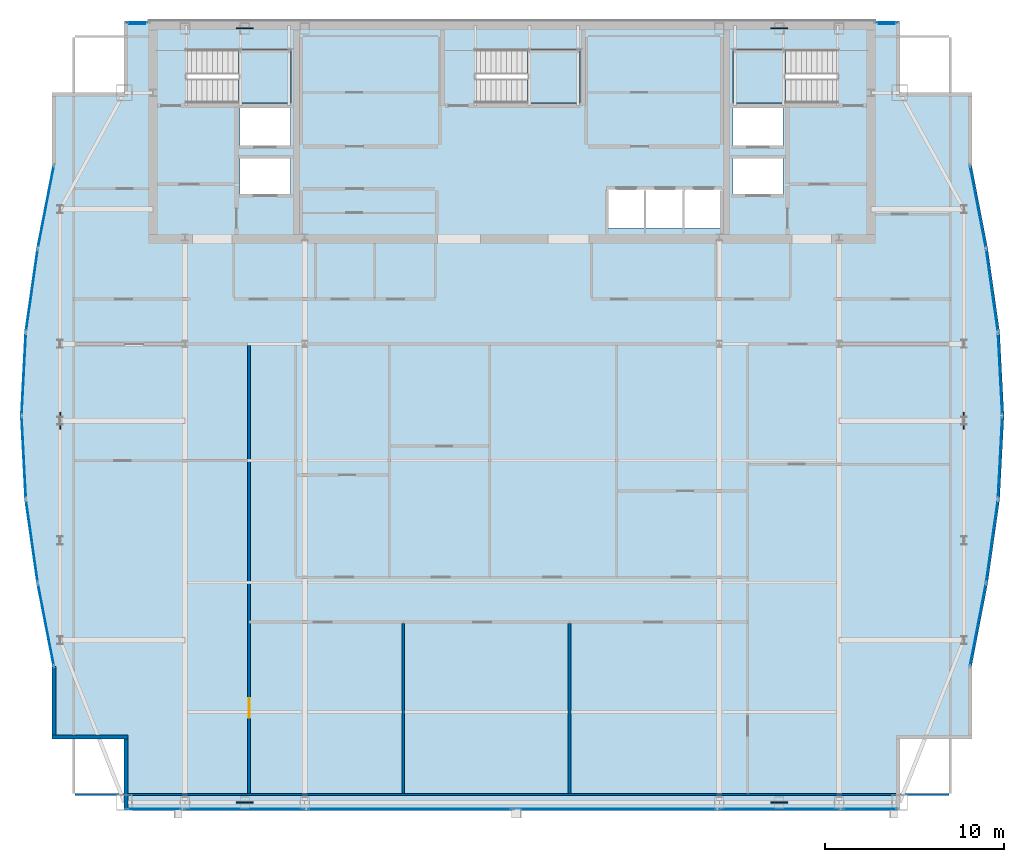
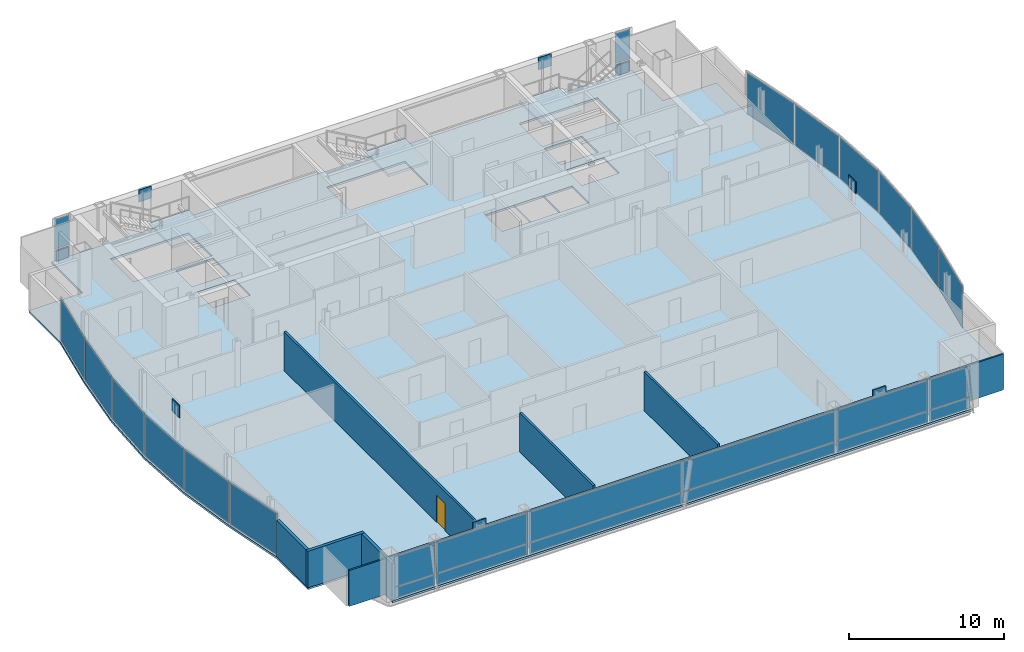
# One storey, part 21 of 27: 36 plates, 7 walls, 4 slabs, 1 door, 1 opening, 22 elements without a shape of their own.
"""IFC4 building model written with IfcOpenShell, lengths in metres."""

from ifc_helpers import new_model, si_unit, direction, frame, frame_2d, origin, origin_2d, place, context, subcontext, project, spatial, polyline, rectangle, outline, extrude, material, layer, layer_set, type_object, element, fill, aggregate, save


model = new_model("IFC4")

# Units and contexts
model_context = context("Model", 3, precision=1e-05, world=origin(), true_north=direction((0.0, 1.0)))
body_context = subcontext(model_context, "Body", "Model", "MODEL_VIEW")
ifc_project = project(units=[si_unit("LENGTHUNIT", "METRE"), si_unit("AREAUNIT", "SQUARE_METRE"), si_unit("VOLUMEUNIT", "CUBIC_METRE"), si_unit("PLANEANGLEUNIT", "RADIAN"), si_unit("MASSUNIT", "GRAM", prefix="KILO")], contexts=[model_context])

# Site, building, storey
site_placement = place(None, origin())
site = spatial("IfcSite", under=ifc_project, at=site_placement, CompositionType="ELEMENT")
building_placement = place(site_placement, origin())
building = spatial("IfcBuilding", under=site, at=building_placement, Name="Khoronbel Lancet Exchange", CompositionType="ELEMENT")
storey_placement = place(building_placement, frame((0.0, 0.0, 332.60009765625)))
storey = spatial("IfcBuildingStorey", under=building, at=storey_placement, Name="L86", CompositionType="ELEMENT", Elevation=332.60009765625)

# Curtain wall, plate
ifc_material_1 = material(Name="Low-E Solar Control Insulating Glass", Category="glass")
curtain_wall_type_1 = type_object("IfcCurtainWallType", Name="CW-4", PredefinedType="NOTDEFINED", material=ifc_material_1)
curtain_wall_1_placement = place(storey_placement, origin())
curtain_wall_1 = element("IfcCurtainWall", 1, at=curtain_wall_1_placement, inside=storey, type_object=curtain_wall_type_1, Name="Unitised curtain wall CW-L86-E05", PredefinedType="NOTDEFINED")
ifc_material_2 = material(Name="Bronze-Anodised Aluminium 6063-T6", Category="aluminium")
ifc_layer_1 = layer(ifc_material_2, 0.050048828125, Name="Bronze-Anodised Aluminium 6063-T6")
ifc_layer_set_1 = layer_set([ifc_layer_1], Name="Bronze-Anodised Aluminium 6063-T6")
plate_type_1 = type_object("IfcPlateType", Name="PLT-CSP1", PredefinedType="SHEET", material=ifc_layer_set_1)
plate_1_placement = place(storey_placement, frame((9.70068359375, 24.7119140625, 0.0849609375), z_axis=(0.0, 0.0, 1.0), x_axis=(-0.140802714401, 0.990037673837, 0.0)))
plate_1 = element("IfcPlate", 2, at=plate_1_placement, type_object=plate_type_1, Name="CW4 panel 1.1", PredefinedType="CURTAIN_PANEL", context=body_context, shape_type="SweptSolid", body=[
    extrude(rectangle(XDim=4.557373046875, YDim=0.0380859375, at=origin_2d()), origin(), (0.0, 0.0, 1.0), 3.27001953125),
])
aggregate(curtain_wall_1, [plate_1])

curtain_wall_2_placement = place(storey_placement, origin())
curtain_wall_2 = element("IfcCurtainWall", 3, at=curtain_wall_2_placement, inside=storey, type_object=curtain_wall_type_1, Name="Unitised curtain wall CW-L86-E06", PredefinedType="NOTDEFINED")
plate_2_placement = place(storey_placement, frame((9.248046875, 29.37109375, 0.0849609375), z_axis=(0.0, 0.0, 1.0), x_axis=(-0.051990561885, 0.998647576212, 0.0)))
plate_2 = element("IfcPlate", 4, at=plate_2_placement, type_object=plate_type_1, Name="CW4 panel 1.1", PredefinedType="CURTAIN_PANEL", context=body_context, shape_type="SweptSolid", body=[
    extrude(rectangle(XDim=4.514404296875, YDim=0.0380859375, at=origin_2d()), origin(), (0.0, 0.0, 1.0), 3.27001953125),
])
aggregate(curtain_wall_2, [plate_2])

curtain_wall_3_placement = place(storey_placement, origin())
curtain_wall_3 = element("IfcCurtainWall", 5, at=curtain_wall_3_placement, inside=storey, type_object=curtain_wall_type_1, Name="Unitised curtain wall CW-L86-E07", PredefinedType="NOTDEFINED")
plate_3_placement = place(storey_placement, frame((9.248046875, 34.029052734375, 0.0849609375), z_axis=(0.0, 0.0, 1.0), x_axis=(0.051990561885, 0.998647576212, 0.0)))
plate_3 = element("IfcPlate", 6, at=plate_3_placement, type_object=plate_type_1, Name="CW4 panel 1.1", PredefinedType="CURTAIN_PANEL", context=body_context, shape_type="SweptSolid", body=[
    extrude(rectangle(XDim=4.514404296875, YDim=0.0380859375, at=origin_2d()), origin(), (0.0, 0.0, 1.0), 3.27001953125),
])
aggregate(curtain_wall_3, [plate_3])

curtain_wall_4_placement = place(storey_placement, origin())
curtain_wall_4 = element("IfcCurtainWall", 7, at=curtain_wall_4_placement, inside=storey, type_object=curtain_wall_type_1, Name="Unitised curtain wall CW-L86-E08", PredefinedType="NOTDEFINED")
plate_4_placement = place(storey_placement, frame((9.70068359375, 38.688232421875, 0.0849609375), z_axis=(0.0, 0.0, 1.0), x_axis=(0.140802714401, 0.990037673837, 0.0)))
plate_4 = element("IfcPlate", 8, at=plate_4_placement, type_object=plate_type_1, Name="CW4 panel 1.1", PredefinedType="CURTAIN_PANEL", context=body_context, shape_type="SweptSolid", body=[
    extrude(rectangle(XDim=4.557373046875, YDim=0.0380859375, at=origin_2d()), origin(), (0.0, 0.0, 1.0), 3.27001953125),
])
aggregate(curtain_wall_4, [plate_4])

curtain_wall_type_2 = type_object("IfcCurtainWallType", Name="CW-3", PredefinedType="NOTDEFINED", material=ifc_material_1)
curtain_wall_5_placement = place(storey_placement, origin())
curtain_wall_5 = element("IfcCurtainWall", 9, at=curtain_wall_5_placement, inside=storey, type_object=curtain_wall_type_2, Name="Unitised curtain wall CW-L86-NWFLK", PredefinedType="NOTDEFINED")
plate_5_placement = place(storey_placement, frame((15.580078125, 53.550048828125, 0.0498046875), z_axis=(0.0, 0.0, 1.0), x_axis=(-1.0, 0.0, 0.0)))
plate_5 = element("IfcPlate", 10, at=plate_5_placement, type_object=plate_type_1, Name="Insulated bronze spandrel cassette CW-L86-NWFLK", PredefinedType="SHEET", context=body_context, shape_type="SweptSolid", body=[
    extrude(rectangle(XDim=0.89599609375, YDim=0.050048828125, at=origin_2d()), origin(), (0.0, 0.0, 1.0), 0.800048828125),
])

curtain_wall_6_placement = place(storey_placement, origin())
curtain_wall_6 = element("IfcCurtainWall", 11, at=curtain_wall_6_placement, inside=storey, type_object=curtain_wall_type_2, Name="Unitised curtain wall CW-L86-NEFLK", PredefinedType="NOTDEFINED")
plate_6_placement = place(storey_placement, frame((57.320068359375, 53.550048828125, 0.0498046875), z_axis=(0.0, 0.0, 1.0), x_axis=(-1.0, 0.0, 0.0)))
plate_6 = element("IfcPlate", 12, at=plate_6_placement, type_object=plate_type_1, Name="Insulated bronze spandrel cassette CW-L86-NEFLK", PredefinedType="SHEET", context=body_context, shape_type="SweptSolid", body=[
    extrude(rectangle(XDim=0.89599609375, YDim=0.050048828125, at=origin_2d()), origin(), (0.0, 0.0, 1.0), 0.800048828125),
])

curtain_wall_7_placement = place(storey_placement, origin())
curtain_wall_7 = element("IfcCurtainWall", 13, at=curtain_wall_7_placement, inside=storey, type_object=curtain_wall_type_1, Name="Unitised curtain wall CW-L86-E18", PredefinedType="NOTDEFINED")
plate_7_placement = place(storey_placement, frame((63.19921875, 38.688232421875, 0.0849609375), z_axis=(0.0, 0.0, 1.0), x_axis=(0.140802714401, -0.990037673837, 0.0)))
plate_7 = element("IfcPlate", 14, at=plate_7_placement, type_object=plate_type_1, Name="CW4 panel 1.1", PredefinedType="CURTAIN_PANEL", context=body_context, shape_type="SweptSolid", body=[
    extrude(rectangle(XDim=4.557373046875, YDim=0.0380859375, at=origin_2d()), origin(), (0.0, 0.0, 1.0), 3.27001953125),
])
aggregate(curtain_wall_7, [plate_7])

curtain_wall_8_placement = place(storey_placement, origin())
curtain_wall_8 = element("IfcCurtainWall", 15, at=curtain_wall_8_placement, inside=storey, type_object=curtain_wall_type_1, Name="Unitised curtain wall CW-L86-E19", PredefinedType="NOTDEFINED")
plate_8_placement = place(storey_placement, frame((63.65185546875, 34.029052734375, 0.0849609375), z_axis=(0.0, 0.0, 1.0), x_axis=(0.051990561885, -0.998647576212, 0.0)))
plate_8 = element("IfcPlate", 16, at=plate_8_placement, type_object=plate_type_1, Name="CW4 panel 1.1", PredefinedType="CURTAIN_PANEL", context=body_context, shape_type="SweptSolid", body=[
    extrude(rectangle(XDim=4.514404296875, YDim=0.0380859375, at=origin_2d()), origin(), (0.0, 0.0, 1.0), 3.27001953125),
])
aggregate(curtain_wall_8, [plate_8])

curtain_wall_9_placement = place(storey_placement, origin())
curtain_wall_9 = element("IfcCurtainWall", 17, at=curtain_wall_9_placement, inside=storey, type_object=curtain_wall_type_1, Name="Unitised curtain wall CW-L86-E20", PredefinedType="NOTDEFINED")
plate_9_placement = place(storey_placement, frame((63.65185546875, 29.37109375, 0.0849609375), z_axis=(0.0, 0.0, 1.0), x_axis=(-0.051990561885, -0.998647576212, 0.0)))
plate_9 = element("IfcPlate", 18, at=plate_9_placement, type_object=plate_type_1, Name="CW4 panel 1.1", PredefinedType="CURTAIN_PANEL", context=body_context, shape_type="SweptSolid", body=[
    extrude(rectangle(XDim=4.514404296875, YDim=0.0380859375, at=origin_2d()), origin(), (0.0, 0.0, 1.0), 3.27001953125),
])
aggregate(curtain_wall_9, [plate_9])

curtain_wall_10_placement = place(storey_placement, origin())
curtain_wall_10 = element("IfcCurtainWall", 19, at=curtain_wall_10_placement, inside=storey, type_object=curtain_wall_type_1, Name="Unitised curtain wall CW-L86-E21", PredefinedType="NOTDEFINED")
plate_10_placement = place(storey_placement, frame((63.19921875, 24.7119140625, 0.0849609375), z_axis=(0.0, 0.0, 1.0), x_axis=(-0.140802714401, -0.990037673837, 0.0)))
plate_10 = element("IfcPlate", 20, at=plate_10_placement, type_object=plate_type_1, Name="CW4 panel 1.1", PredefinedType="CURTAIN_PANEL", context=body_context, shape_type="SweptSolid", body=[
    extrude(rectangle(XDim=4.557373046875, YDim=0.0380859375, at=origin_2d()), origin(), (0.0, 0.0, 1.0), 3.27001953125),
])
aggregate(curtain_wall_10, [plate_10])

# Curtain wall, plates
curtain_wall_11_placement = place(storey_placement, origin())
curtain_wall_11 = element("IfcCurtainWall", 21, at=curtain_wall_11_placement, inside=storey, type_object=curtain_wall_type_2, Name="Unitised curtain wall CW-L86-SWB", PredefinedType="NOTDEFINED")
plate_11_placement = place(storey_placement, frame((21.550048828125, 9.7900390625, 0.0849609375), z_axis=(0.0, 0.0, 1.0), x_axis=(1.0, 0.0, 0.0)))
plate_11 = element("IfcPlate", 22, at=plate_11_placement, type_object=plate_type_1, Name="CW3 panel 1.1", PredefinedType="CURTAIN_PANEL", context=body_context, shape_type="SweptSolid", body=[
    extrude(rectangle(XDim=6.72998046875, YDim=0.0380859375, at=origin_2d()), origin(), (0.0, 0.0, 1.0), 0.822509765625),
])
plate_12_placement = place(storey_placement, frame((21.550048828125, 9.7900390625, 0.9921875), z_axis=(0.0, 0.0, 1.0), x_axis=(1.0, 0.0, 0.0)))
plate_12 = element("IfcPlate", 23, at=plate_12_placement, type_object=plate_type_1, Name="CW3 panel 1.2", PredefinedType="CURTAIN_PANEL", context=body_context, shape_type="SweptSolid", body=[
    extrude(rectangle(XDim=6.72998046875, YDim=0.0380859375, at=origin_2d()), origin(), (0.0, 0.0, 1.0), 2.362548828125),
])
aggregate(curtain_wall_11, [plate_11, plate_12])

curtain_wall_12_placement = place(storey_placement, origin())
curtain_wall_12 = element("IfcCurtainWall", 24, at=curtain_wall_12_placement, inside=storey, type_object=curtain_wall_type_2, Name="Unitised curtain wall CW-L86-SEB", PredefinedType="NOTDEFINED")
plate_13_placement = place(storey_placement, frame((51.35009765625, 9.7900390625, 0.0849609375), z_axis=(0.0, 0.0, 1.0), x_axis=(1.0, 0.0, 0.0)))
plate_13 = element("IfcPlate", 25, at=plate_13_placement, type_object=plate_type_1, Name="CW3 panel 1.1", PredefinedType="CURTAIN_PANEL", context=body_context, shape_type="SweptSolid", body=[
    extrude(rectangle(XDim=6.72998046875, YDim=0.0380859375, at=origin_2d()), origin(), (0.0, 0.0, 1.0), 0.822509765625),
])
plate_14_placement = place(storey_placement, frame((51.35009765625, 9.7900390625, 0.9921875), z_axis=(0.0, 0.0, 1.0), x_axis=(1.0, 0.0, 0.0)))
plate_14 = element("IfcPlate", 26, at=plate_14_placement, type_object=plate_type_1, Name="CW3 panel 1.2", PredefinedType="CURTAIN_PANEL", context=body_context, shape_type="SweptSolid", body=[
    extrude(rectangle(XDim=6.72998046875, YDim=0.0380859375, at=origin_2d()), origin(), (0.0, 0.0, 1.0), 2.362548828125),
])
aggregate(curtain_wall_12, [plate_13, plate_14])

# Plate
ifc_layer_2 = layer(ifc_material_1, 0.035888671875, Name="Low-E Solar Control Insulating Glass")
ifc_layer_set_2 = layer_set([ifc_layer_2], Name="Low-E Solar Control Insulating Glass")
plate_type_2 = type_object("IfcPlateType", Name="PLT-CWP1", PredefinedType="CURTAIN_PANEL", material=ifc_layer_set_2)
plate_15_placement = place(storey_placement, frame((15.580078125, 53.610107421875, 0.0849609375), z_axis=(0.0, 0.0, 1.0), x_axis=(-1.0, 0.0, 0.0)))
plate_15 = element("IfcPlate", 27, at=plate_15_placement, type_object=plate_type_2, Name="CW3 panel 1.1", PredefinedType="CURTAIN_PANEL", context=body_context, shape_type="SweptSolid", body=[
    extrude(rectangle(XDim=1.110107421875, YDim=0.0380859375, at=origin_2d()), origin(), (0.0, 0.0, 1.0), 0.822509765625),
])

plate_16_placement = place(storey_placement, frame((15.580078125, 53.610107421875, 0.9921875), z_axis=(0.0, 0.0, 1.0), x_axis=(-1.0, 0.0, 0.0)))
plate_16 = element("IfcPlate", 28, at=plate_16_placement, type_object=plate_type_2, Name="CW3 panel 1.2", PredefinedType="CURTAIN_PANEL", context=body_context, shape_type="SweptSolid", body=[
    extrude(rectangle(XDim=1.110107421875, YDim=0.0380859375, at=origin_2d()), origin(), (0.0, 0.0, 1.0), 2.362548828125),
])

aggregate(curtain_wall_5, [plate_15, plate_16, plate_5])

plate_17_placement = place(storey_placement, frame((57.320068359375, 53.610107421875, 0.0849609375), z_axis=(0.0, 0.0, 1.0), x_axis=(-1.0, 0.0, 0.0)))
plate_17 = element("IfcPlate", 29, at=plate_17_placement, type_object=plate_type_2, Name="CW3 panel 1.1", PredefinedType="CURTAIN_PANEL", context=body_context, shape_type="SweptSolid", body=[
    extrude(rectangle(XDim=1.110107421875, YDim=0.0380859375, at=origin_2d()), origin(), (0.0, 0.0, 1.0), 0.822509765625),
])

plate_18_placement = place(storey_placement, frame((57.320068359375, 53.610107421875, 0.9921875), z_axis=(0.0, 0.0, 1.0), x_axis=(-1.0, 0.0, 0.0)))
plate_18 = element("IfcPlate", 30, at=plate_18_placement, type_object=plate_type_2, Name="CW3 panel 1.2", PredefinedType="CURTAIN_PANEL", context=body_context, shape_type="SweptSolid", body=[
    extrude(rectangle(XDim=1.110107421875, YDim=0.0380859375, at=origin_2d()), origin(), (0.0, 0.0, 1.0), 2.362548828125),
])

aggregate(curtain_wall_6, [plate_17, plate_18, plate_6])

# Curtain wall, plates
curtain_wall_13_placement = place(storey_placement, origin())
curtain_wall_13 = element("IfcCurtainWall", 31, at=curtain_wall_13_placement, inside=storey, type_object=curtain_wall_type_2, Name="Unitised curtain wall CW-L86-SWV", PredefinedType="NOTDEFINED")
plate_19_placement = place(storey_placement, frame((16.52001953125, 9.7900390625, 0.0849609375), z_axis=(0.0, 0.0, 1.0), x_axis=(1.0, 0.0, 0.0)))
plate_19 = element("IfcPlate", 32, at=plate_19_placement, type_object=plate_type_2, Name="CW3 panel 1.1", PredefinedType="CURTAIN_PANEL", context=body_context, shape_type="SweptSolid", body=[
    extrude(rectangle(XDim=2.989990234375, YDim=0.0380859375, at=origin_2d()), origin(), (0.0, 0.0, 1.0), 0.822509765625),
])
plate_20_placement = place(storey_placement, frame((16.52001953125, 9.7900390625, 0.9921875), z_axis=(0.0, 0.0, 1.0), x_axis=(1.0, 0.0, 0.0)))
plate_20 = element("IfcPlate", 33, at=plate_20_placement, type_object=plate_type_2, Name="CW3 panel 1.2", PredefinedType="CURTAIN_PANEL", context=body_context, shape_type="SweptSolid", body=[
    extrude(rectangle(XDim=2.989990234375, YDim=0.0380859375, at=origin_2d()), origin(), (0.0, 0.0, 1.0), 2.362548828125),
])
aggregate(curtain_wall_13, [plate_19, plate_20])

curtain_wall_14_placement = place(storey_placement, origin())
curtain_wall_14 = element("IfcCurtainWall", 34, at=curtain_wall_14_placement, inside=storey, type_object=curtain_wall_type_2, Name="Unitised curtain wall CW-L86-SCV", PredefinedType="NOTDEFINED")
plate_21_placement = place(storey_placement, frame((30.746337890625, 9.7900390625, 0.0849609375), z_axis=(0.0, 0.0, 1.0), x_axis=(1.0, 0.0, 0.0)))
plate_21 = element("IfcPlate", 35, at=plate_21_placement, type_object=plate_type_2, Name="CW3 panel 1.1", PredefinedType="CURTAIN_PANEL", context=body_context, shape_type="SweptSolid", body=[
    extrude(rectangle(XDim=11.322509765625, YDim=0.0380859375, at=origin_2d()), origin(), (0.0, 0.0, 1.0), 0.822509765625),
])
plate_22_placement = place(storey_placement, frame((30.746337890625, 9.7900390625, 0.9921875), z_axis=(0.0, 0.0, 1.0), x_axis=(1.0, 0.0, 0.0)))
plate_22 = element("IfcPlate", 36, at=plate_22_placement, type_object=plate_type_2, Name="CW3 panel 1.2", PredefinedType="CURTAIN_PANEL", context=body_context, shape_type="SweptSolid", body=[
    extrude(rectangle(XDim=11.322509765625, YDim=0.0380859375, at=origin_2d()), origin(), (0.0, 0.0, 1.0), 2.362548828125),
])
plate_23_placement = place(storey_placement, frame((42.15380859375, 9.7900390625, 0.0849609375), z_axis=(0.0, 0.0, 1.0), x_axis=(1.0, 0.0, 0.0)))
plate_23 = element("IfcPlate", 37, at=plate_23_placement, type_object=plate_type_2, Name="CW3 panel 2.1", PredefinedType="CURTAIN_PANEL", context=body_context, shape_type="SweptSolid", body=[
    extrude(rectangle(XDim=11.322509765625, YDim=0.0380859375, at=origin_2d()), origin(), (0.0, 0.0, 1.0), 0.822509765625),
])
plate_24_placement = place(storey_placement, frame((42.15380859375, 9.7900390625, 0.9921875), z_axis=(0.0, 0.0, 1.0), x_axis=(1.0, 0.0, 0.0)))
plate_24 = element("IfcPlate", 38, at=plate_24_placement, type_object=plate_type_2, Name="CW3 panel 2.2", PredefinedType="CURTAIN_PANEL", context=body_context, shape_type="SweptSolid", body=[
    extrude(rectangle(XDim=11.322509765625, YDim=0.0380859375, at=origin_2d()), origin(), (0.0, 0.0, 1.0), 2.362548828125),
])
aggregate(curtain_wall_14, [plate_21, plate_22, plate_23, plate_24])

curtain_wall_15_placement = place(storey_placement, origin())
curtain_wall_15 = element("IfcCurtainWall", 39, at=curtain_wall_15_placement, inside=storey, type_object=curtain_wall_type_2, Name="Unitised curtain wall CW-L86-SEV", PredefinedType="NOTDEFINED")
plate_25_placement = place(storey_placement, frame((56.3798828125, 9.7900390625, 0.0849609375), z_axis=(0.0, 0.0, 1.0), x_axis=(1.0, 0.0, 0.0)))
plate_25 = element("IfcPlate", 40, at=plate_25_placement, type_object=plate_type_2, Name="CW3 panel 1.1", PredefinedType="CURTAIN_PANEL", context=body_context, shape_type="SweptSolid", body=[
    extrude(rectangle(XDim=2.989990234375, YDim=0.0380859375, at=origin_2d()), origin(), (0.0, 0.0, 1.0), 0.822509765625),
])
plate_26_placement = place(storey_placement, frame((56.3798828125, 9.7900390625, 0.9921875), z_axis=(0.0, 0.0, 1.0), x_axis=(1.0, 0.0, 0.0)))
plate_26 = element("IfcPlate", 41, at=plate_26_placement, type_object=plate_type_2, Name="CW3 panel 1.2", PredefinedType="CURTAIN_PANEL", context=body_context, shape_type="SweptSolid", body=[
    extrude(rectangle(XDim=2.989990234375, YDim=0.0380859375, at=origin_2d()), origin(), (0.0, 0.0, 1.0), 2.362548828125),
])
aggregate(curtain_wall_15, [plate_25, plate_26])

# Curtain wall, plate
curtain_wall_16_placement = place(storey_placement, origin())
curtain_wall_16 = element("IfcCurtainWall", 42, at=curtain_wall_16_placement, inside=storey, type_object=curtain_wall_type_1, Name="Unitised curtain wall CW-L86-E04", PredefinedType="NOTDEFINED")
ifc_material_3 = material(Name="Ceramic-Fritted Laminated Insulating Glass", Category="glass")
ifc_layer_3 = layer(ifc_material_3, 0.0419921875, Name="Ceramic-Fritted Laminated Insulating Glass")
ifc_layer_set_3 = layer_set([ifc_layer_3], Name="Ceramic-Fritted Laminated Insulating Glass")
plate_type_3 = type_object("IfcPlateType", Name="PLT-CWP2", PredefinedType="CURTAIN_PANEL", material=ifc_layer_set_3)
plate_27_placement = place(storey_placement, frame((10.486083984375, 20.045166015625, 0.0849609375), z_axis=(0.0, 0.0, 1.0), x_axis=(-0.190703785032, 0.981647628416, 0.0)))
plate_27 = element("IfcPlate", 43, at=plate_27_placement, type_object=plate_type_3, Name="CW4 panel 1.1", PredefinedType="CURTAIN_PANEL", context=body_context, shape_type="SweptSolid", body=[
    extrude(rectangle(XDim=4.6103515625, YDim=0.0380859375, at=origin_2d()), origin(), (0.0, 0.0, 1.0), 3.27001953125),
])
aggregate(curtain_wall_16, [plate_27])

curtain_wall_17_placement = place(storey_placement, origin())
curtain_wall_17 = element("IfcCurtainWall", 44, at=curtain_wall_17_placement, inside=storey, type_object=curtain_wall_type_1, Name="Unitised curtain wall CW-L86-E09", PredefinedType="NOTDEFINED")
plate_28_placement = place(storey_placement, frame((10.486083984375, 43.354736328125, 0.0849609375), z_axis=(0.0, 0.0, 1.0), x_axis=(0.190703785032, 0.981647628416, 0.0)))
plate_28 = element("IfcPlate", 45, at=plate_28_placement, type_object=plate_type_3, Name="CW4 panel 1.1", PredefinedType="CURTAIN_PANEL", context=body_context, shape_type="SweptSolid", body=[
    extrude(rectangle(XDim=4.6103515625, YDim=0.0380859375, at=origin_2d()), origin(), (0.0, 0.0, 1.0), 3.27001953125),
])
aggregate(curtain_wall_17, [plate_28])

curtain_wall_18_placement = place(storey_placement, origin())
curtain_wall_18 = element("IfcCurtainWall", 46, at=curtain_wall_18_placement, inside=storey, type_object=curtain_wall_type_1, Name="Unitised curtain wall CW-L86-E17", PredefinedType="NOTDEFINED")
plate_29_placement = place(storey_placement, frame((62.413818359375, 43.354736328125, 0.0849609375), z_axis=(0.0, 0.0, 1.0), x_axis=(0.190703785032, -0.981647628416, 0.0)))
plate_29 = element("IfcPlate", 47, at=plate_29_placement, type_object=plate_type_3, Name="CW4 panel 1.1", PredefinedType="CURTAIN_PANEL", context=body_context, shape_type="SweptSolid", body=[
    extrude(rectangle(XDim=4.6103515625, YDim=0.0380859375, at=origin_2d()), origin(), (0.0, 0.0, 1.0), 3.27001953125),
])
aggregate(curtain_wall_18, [plate_29])

curtain_wall_19_placement = place(storey_placement, origin())
curtain_wall_19 = element("IfcCurtainWall", 48, at=curtain_wall_19_placement, inside=storey, type_object=curtain_wall_type_1, Name="Unitised curtain wall CW-L86-E22", PredefinedType="NOTDEFINED")
plate_30_placement = place(storey_placement, frame((62.413818359375, 20.045166015625, 0.0849609375), z_axis=(0.0, 0.0, 1.0), x_axis=(-0.190703785032, -0.981647628416, 0.0)))
plate_30 = element("IfcPlate", 49, at=plate_30_placement, type_object=plate_type_3, Name="CW4 panel 1.1", PredefinedType="CURTAIN_PANEL", context=body_context, shape_type="SweptSolid", body=[
    extrude(rectangle(XDim=4.6103515625, YDim=0.0380859375, at=origin_2d()), origin(), (0.0, 0.0, 1.0), 3.27001953125),
])
aggregate(curtain_wall_19, [plate_30])

# Plates
ifc_material_4 = material(Name="Steel S460", Category="steel")
ifc_layer_4 = layer(ifc_material_4, 0.06005859375, Name="Steel S460")
ifc_layer_set_4 = layer_set([ifc_layer_4], Name="Steel S460")
plate_type_4 = type_object("IfcPlateType", Name="PLT-ND3", PredefinedType="USERDEFINED", material=ifc_layer_set_4)
for number, where, z_axis, x_axis, name in (
    (50, (21.5625, 10.14990234375, 2.77490234375), (0.0, 0.0, 1.0), (1.0, 0.0, 0.0), "ND3 perimeter brace node gusset T29-S-W"),
    (51, (51.33740234375, 10.14990234375, 2.77490234375), (0.0, 0.0, 1.0), (1.0, 0.0, 0.0), "ND3 perimeter brace node gusset T29-S-E"),
    (52, (21.5625, 53.280029296875, 2.77490234375), (0.0, 0.0, 1.0), (1.0, 0.0, 0.0), "ND3 perimeter brace node gusset T29-N-W"),
    (53, (51.33740234375, 53.280029296875, 2.77490234375), (0.0, 0.0, 1.0), (1.0, 0.0, 0.0), "ND3 perimeter brace node gusset T29-N-E"),
    (54, (11.27001953125, 31.425048828125, 2.77490234375), (0.0, 0.0, 1.0), (0.0, 1.0, 0.0), "ND3 perimeter brace node gusset T29-W-P"),
    (55, (61.6298828125, 31.425048828125, 2.77490234375), (0.0, 0.0, 1.0), (0.0, 1.0, 0.0), "ND3 perimeter brace node gusset T29-E-P"),
):
    element("IfcPlate", number, at=place(storey_placement, frame(where, z_axis=z_axis, x_axis=x_axis)), inside=storey, type_object=plate_type_4, Name=name, ObjectType="GUSSET_PLATE", PredefinedType="USERDEFINED", context=body_context, shape_type="SweptSolid", body=[
        extrude(rectangle(XDim=0.949951171875, YDim=0.06005859375, at=origin_2d()), origin(), (0.0, 0.0, 1.0), 0.949951171875),
    ])

# Slab
ifc_material_5 = material(Name="Concrete C40/50", Category="concrete")
ifc_layer_5 = layer(ifc_material_5, 0.159912109375, Name="Concrete C40/50")
ifc_layer_set_5 = layer_set([ifc_layer_5], Name="Concrete C40/50")
slab_type_1 = type_object("IfcSlabType", Name="SL-FL160", PredefinedType="FLOOR", material=ifc_layer_set_5)
slab_1_placement = place(storey_placement, frame((0.0, 0.0, -0.16015625)))
element("IfcSlab", 56, at=slab_1_placement, inside=storey, type_object=slab_type_1, Name="Level L86 composite structural floor slab", PredefinedType="FLOOR", context=body_context, shape_type="SweptSolid", body=[
    extrude(outline(polyline([(14.85009765625, 9.699951171875), (58.050048828125, 9.699951171875), (58.050048828125, 13.699951171875), (62.050048828125, 13.699951171875), (62.050048828125, 17.699951171875), (62.95654296875, 22.36669921875), (63.620361328125, 27.033203125), (63.86328125, 31.699951171875), (63.620361328125, 36.36669921875), (62.95654296875, 41.033203125), (62.050048828125, 45.699951171875), (62.050048828125, 49.699951171875), (58.050048828125, 49.699951171875), (58.050048828125, 53.699951171875), (14.85009765625, 53.699951171875), (14.85009765625, 49.699951171875), (10.85009765625, 49.699951171875), (10.85009765625, 45.699951171875), (9.943359375, 41.033203125), (9.27978515625, 36.36669921875), (9.036865234375, 31.699951171875), (9.27978515625, 27.033203125), (9.943359375, 22.36669921875), (10.85009765625, 17.699951171875), (10.85009765625, 13.699951171875), (14.85009765625, 13.699951171875), (14.85009765625, 9.699951171875)]), holes=[polyline([(18.324951171875, 49.1201171875), (24.14990234375, 49.1201171875), (24.14990234375, 52.10009765625), (18.324951171875, 52.10009765625), (18.324951171875, 49.1201171875)]), polyline([(48.75, 49.1201171875), (54.574951171875, 49.1201171875), (54.574951171875, 52.10009765625), (48.75, 52.10009765625), (48.75, 49.1201171875)]), polyline([(34.425048828125, 49.1201171875), (40.25, 49.1201171875), (40.25, 52.10009765625), (34.425048828125, 52.10009765625), (34.425048828125, 49.1201171875)]), polyline([(41.739990234375, 42.14990234375), (43.8798828125, 42.14990234375), (43.8798828125, 44.300048828125), (41.739990234375, 44.300048828125), (41.739990234375, 42.14990234375)]), polyline([(43.89990234375, 42.14990234375), (46.0400390625, 42.14990234375), (46.0400390625, 44.300048828125), (43.89990234375, 44.300048828125), (43.89990234375, 42.14990234375)]), polyline([(46.06005859375, 42.14990234375), (48.199951171875, 42.14990234375), (48.199951171875, 44.300048828125), (46.06005859375, 44.300048828125), (46.06005859375, 42.14990234375)]), polyline([(21.300048828125, 46.75), (24.10009765625, 46.75), (24.10009765625, 48.85009765625), (21.300048828125, 48.85009765625), (21.300048828125, 46.75)]), polyline([(48.75, 46.75), (51.550048828125, 46.75), (51.550048828125, 48.85009765625), (48.75, 48.85009765625), (48.75, 46.75)]), polyline([(21.300048828125, 44.050048828125), (24.10009765625, 44.050048828125), (24.10009765625, 46.050048828125), (21.300048828125, 46.050048828125), (21.300048828125, 44.050048828125)]), polyline([(48.75, 44.050048828125), (51.550048828125, 44.050048828125), (51.550048828125, 46.050048828125), (48.75, 46.050048828125), (48.75, 44.050048828125)])]), origin(), (0.0, 0.0, 1.0), 0.16015625),
])

# Stair, slab
stair_type = type_object("IfcStairType", Name="STR-CORE150", PredefinedType="HALF_TURN_STAIR", material=ifc_material_5)
stair_1_placement = place(storey_placement, origin())
stair_1 = element("IfcStair", 57, at=stair_1_placement, inside=storey, type_object=stair_type, Name="L86 Protected Exit Stair ST1", PredefinedType="HALF_TURN_STAIR")
ifc_layer_6 = layer(ifc_material_5, 0.199951171875, Name="Concrete C40/50")
ifc_layer_set_6 = layer_set([ifc_layer_6], Name="Concrete C40/50")
slab_type_2 = type_object("IfcSlabType", Name="SL-LND180", PredefinedType="LANDING", material=ifc_layer_set_6)
slab_2_placement = place(storey_placement, frame((0.0, 0.0, 1.599853515625)))
slab_2 = element("IfcSlab", 58, at=slab_2_placement, type_object=slab_type_2, Name="ST1 landing 1", PredefinedType="LANDING", context=body_context, shape_type="SweptSolid", body=[
    extrude(outline(polyline([(21.199951171875, 49.1201171875), (24.14990234375, 49.1201171875), (24.14990234375, 52.10009765625), (21.199951171875, 52.10009765625), (21.199951171875, 49.1201171875)])), origin(), (0.0, 0.0, 1.0), 0.199951171875),
])
aggregate(stair_1, [slab_2])

stair_2_placement = place(storey_placement, origin())
stair_2 = element("IfcStair", 59, at=stair_2_placement, inside=storey, type_object=stair_type, Name="L86 Protected Exit Stair ST2", PredefinedType="HALF_TURN_STAIR")
slab_3_placement = place(storey_placement, frame((0.0, 0.0, 1.599853515625)))
slab_3 = element("IfcSlab", 60, at=slab_3_placement, type_object=slab_type_2, Name="ST2 landing 1", PredefinedType="LANDING", context=body_context, shape_type="SweptSolid", body=[
    extrude(outline(polyline([(51.699951171875, 52.10009765625), (48.75, 52.10009765625), (48.75, 49.1201171875), (51.699951171875, 49.1201171875), (51.699951171875, 52.10009765625)])), origin(), (0.0, 0.0, 1.0), 0.199951171875),
])
aggregate(stair_2, [slab_3])

stair_3_placement = place(storey_placement, origin())
stair_3 = element("IfcStair", 61, at=stair_3_placement, inside=storey, type_object=stair_type, Name="L86 Protected Exit Stair ST3", PredefinedType="HALF_TURN_STAIR")
slab_4_placement = place(storey_placement, frame((0.0, 0.0, 1.599853515625)))
slab_4 = element("IfcSlab", 62, at=slab_4_placement, type_object=slab_type_2, Name="ST3 landing 1", PredefinedType="LANDING", context=body_context, shape_type="SweptSolid", body=[
    extrude(outline(polyline([(37.300048828125, 49.1201171875), (40.25, 49.1201171875), (40.25, 52.10009765625), (37.300048828125, 52.10009765625), (37.300048828125, 49.1201171875)])), origin(), (0.0, 0.0, 1.0), 0.199951171875),
])
aggregate(stair_3, [slab_4])

# Walls
ifc_material_6 = material(Name="Precast concrete C40/50", Category="concrete")
ifc_layer_7 = layer(ifc_material_6, 0.25, Name="Precast concrete C40/50")
ifc_layer_set_7 = layer_set([ifc_layer_7], Name="Precast concrete C40/50")
wall_type_1 = type_object("IfcWallType", Name="WL-EXT250", PredefinedType="SOLIDWALL", material=ifc_layer_set_7)
wall_1_placement = place(storey_placement, frame((14.93994140625, 9.77001953125, 0.0), z_axis=(0.0, 0.0, 1.0), x_axis=(0.0, 1.0, 0.0)))
element("IfcWall", 63, at=wall_1_placement, inside=storey, type_object=wall_type_1, Name="Level L86 notched-corner limestone pier 01", PredefinedType="SOLIDWALL", context=body_context, shape_type="SweptSolid", body=[
    extrude(rectangle(XDim=3.909912109375, YDim=0.219970703125, at=frame_2d((1.955078125, 0.0))), origin(), (0.0, 0.0, 1.0), 2.8798828125),
])
wall_2_placement = place(storey_placement, frame((15.050048828125, 13.7900390625, 0.0), z_axis=(0.0, 0.0, 1.0), x_axis=(-1.0, 0.0, 0.0)))
element("IfcWall", 64, at=wall_2_placement, inside=storey, type_object=wall_type_1, Name="Level L86 notched-corner limestone pier 02", PredefinedType="SOLIDWALL", context=body_context, shape_type="SweptSolid", body=[
    extrude(rectangle(XDim=4.219970703125, YDim=0.219970703125, at=frame_2d((2.10986328125, 0.0))), origin(), (0.0, 0.0, 1.0), 2.8798828125),
])
wall_3_placement = place(storey_placement, frame((10.93994140625, 13.89990234375, 0.0), z_axis=(0.0, 0.0, 1.0), x_axis=(0.0, 1.0, 0.0)))
element("IfcWall", 65, at=wall_3_placement, inside=storey, type_object=wall_type_1, Name="Level L86 notched-corner limestone pier 03", PredefinedType="SOLIDWALL", context=body_context, shape_type="SweptSolid", body=[
    extrude(rectangle(XDim=3.828857421875, YDim=0.219970703125, at=frame_2d((1.91455078125, 0.0))), origin(), (0.0, 0.0, 1.0), 2.8798828125),
])
ifc_material_7 = material(Name="Acoustic Metal-Stud & Mineral-Wool Gypsum Partition 120 mm", Category="gypsum")
ifc_layer_8 = layer(ifc_material_7, 0.1201171875, Name="Acoustic Metal-Stud & Mineral-Wool Gypsum Partition 120 mm")
ifc_layer_set_8 = layer_set([ifc_layer_8], Name="Acoustic Metal-Stud & Mineral-Wool Gypsum Partition 120 mm")
wall_type_2 = type_object("IfcWallType", Name="WL-PRT120", PredefinedType="PARTITIONING", material=ifc_layer_set_8)
wall_4_placement = place(storey_placement, frame((12.094970703125, 10.60009765625, 0.0), z_axis=(0.0, 0.0, 1.0), x_axis=(1.0, 0.0, 0.0)))
element("IfcWall", 66, at=wall_4_placement, inside=storey, type_object=wall_type_2, Name="Level L86 interior partition PW-LIN-S", PredefinedType="PARTITIONING", context=body_context, shape_type="SweptSolid", body=[
    extrude(rectangle(XDim=48.7099609375, YDim=0.1201171875, at=frame_2d((24.35498046875, 0.0))), origin(), (0.0, 0.0, 1.0), 2.829833984375),
])

# Wall, opening, door
ifc_material_8 = material(Name="Fire-Rated Twin-Stud Acoustic Gypsum Partition 150 mm", Category="gypsum")
ifc_layer_9 = layer(ifc_material_8, 0.14990234375, Name="Fire-Rated Twin-Stud Acoustic Gypsum Partition 150 mm")
ifc_layer_set_9 = layer_set([ifc_layer_9], Name="Fire-Rated Twin-Stud Acoustic Gypsum Partition 150 mm")
wall_type_3 = type_object("IfcWallType", Name="WL-PRT150C", PredefinedType="PARTITIONING", material=ifc_layer_set_9)
wall_5_placement = place(storey_placement, frame((21.800048828125, 10.6650390625, 0.0), z_axis=(0.0, 0.0, 1.0), x_axis=(0.0, 1.0, 0.0)))
wall_5 = element("IfcWall", 67, at=wall_5_placement, inside=storey, type_object=wall_type_3, Name="Level L86 interior partition PW-Z4-WW", PredefinedType="PARTITIONING", context=body_context, shape_type="SweptSolid", body=[
    extrude(rectangle(XDim=24.955078125, YDim=0.14990234375, at=frame_2d((12.4775390625, 0.0))), origin(), (0.0, 0.0, 1.0), 3.06982421875),
])
opening_placement = place(wall_5_placement, frame((4.199951171875, 0.0, 0.0)))
opening = element("IfcOpeningElement", 68, at=opening_placement, cuts=wall_5, Name="Opening D6", PredefinedType="OPENING", context=body_context, shape_type="SweptSolid", body=[
    extrude(rectangle(XDim=1.10009765625, YDim=2.10009765625, at=frame_2d((0.550048828125, 1.050048828125))), frame((0.0, 0.0849609375, 0.0), z_axis=(0.0, -1.0, 0.0), x_axis=(1.0, 0.0, 0.0)), (0.0, 0.0, 1.0), 0.169921875),
])
ifc_material_9 = material(Name="Acoustic Bronze-Veneer Executive Suite Door", Category="wood")
door_type = type_object("IfcDoorType", Name="DR-D6", OperationType="NOTDEFINED", PredefinedType="DOOR", material=ifc_material_9)
door_placement = place(opening_placement, origin())
door = element("IfcDoor", 69, at=door_placement, inside=storey, type_object=door_type, Name="West lens presidential door L86-1", OperationType="SINGLE_SWING_RIGHT", OverallHeight=2.10009765625, OverallWidth=1.10009765625, PredefinedType="DOOR", context=body_context, shape_type="SweptSolid", body=[
    extrude(rectangle(XDim=1.10009765625, YDim=2.10009765625, at=frame_2d((0.550048828125, 1.050048828125))), frame((0.0, 0.02490234375, 0.0), z_axis=(0.0, -1.0, 0.0), x_axis=(1.0, 0.0, 0.0)), (0.0, 0.0, 1.0), 0.050048828125),
])
fill(opening, door)

# Walls
for number, where, z_axis, x_axis, name in (
    (70, (30.398681640625, 10.6650390625, 0.0), (0.0, 0.0, 1.0), (0.0, 1.0, 0.0), "Level L86 interior partition PW-Z4S-V1"),
    (71, (39.65869140625, 10.6650390625, 0.0), (0.0, 0.0, 1.0), (0.0, 1.0, 0.0), "Level L86 interior partition PW-Z4S-V2"),
):
    element("IfcWall", number, at=place(storey_placement, frame(where, z_axis=z_axis, x_axis=x_axis)), inside=storey, type_object=wall_type_3, Name=name, PredefinedType="PARTITIONING", context=body_context, shape_type="SweptSolid", body=[
        extrude(rectangle(XDim=9.449951171875, YDim=0.14990234375, at=frame_2d((4.72509765625, 0.0))), origin(), (0.0, 0.0, 1.0), 3.06982421875),
    ])

save(model, "model.ifc")
